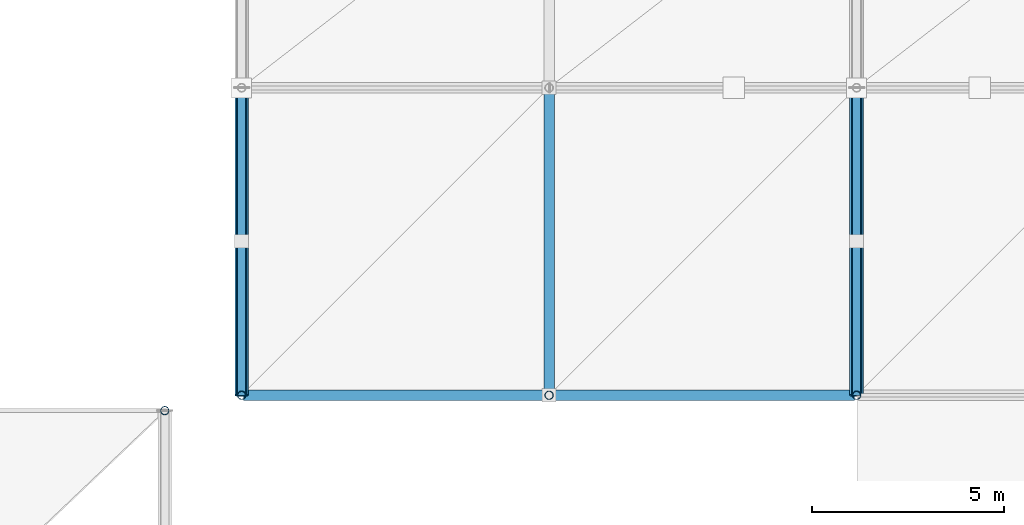
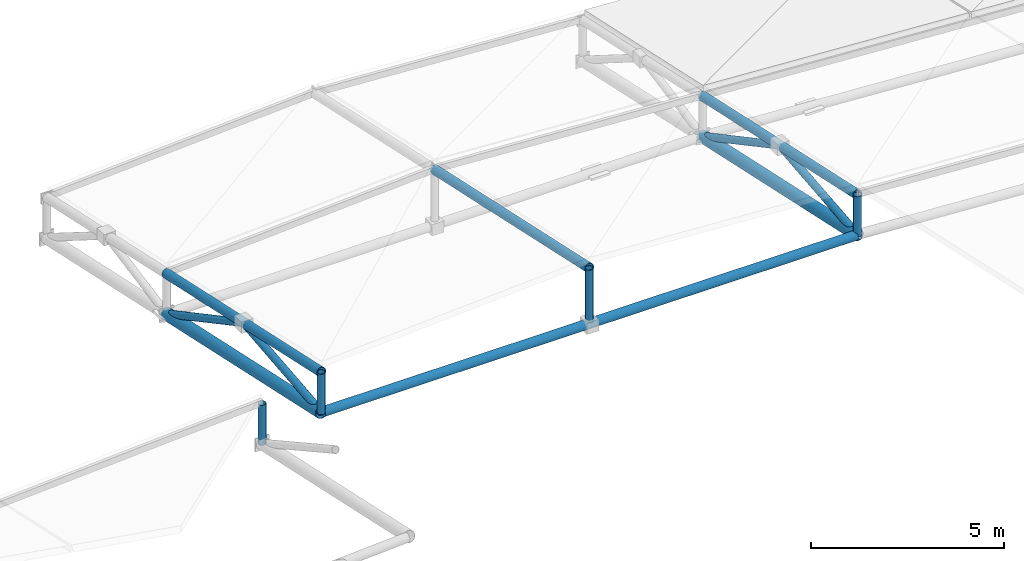
# One storey, part 22 of 67: 11 members, 3 beams.
"""IFC4 building model written with IfcOpenShell, lengths in metres."""

from ifc_helpers import new_model, si_unit, direction, frame, origin, origin_2d, place, context, subcontext, project, spatial, hollow_circle, extrude, material, material_profile, profile_set, type_object, element, save


model = new_model("IFC4")

# Units and contexts
model_context = context("Model", 3, precision=1e-05, world=origin(), true_north=direction((0.0, 1.0)))
body_context = subcontext(model_context, "Body", "Model", "MODEL_VIEW")
ifc_project = project(units=[si_unit("LENGTHUNIT", "METRE"), si_unit("AREAUNIT", "SQUARE_METRE"), si_unit("VOLUMEUNIT", "CUBIC_METRE"), si_unit("PLANEANGLEUNIT", "RADIAN"), si_unit("MASSUNIT", "GRAM", prefix="KILO")], contexts=[model_context])

# Site, building, storey
site_placement = place(None, origin())
site = spatial("IfcSite", under=ifc_project, at=site_placement, CompositionType="ELEMENT")
building_placement = place(site_placement, origin())
building = spatial("IfcBuilding", under=site, at=building_placement, Name="Drelvath Fold Interchange", CompositionType="ELEMENT")
storey_placement = place(building_placement, frame((0.0, 0.0, 15.60009765625)))
storey = spatial("IfcBuildingStorey", under=building, at=storey_placement, Name="L03", CompositionType="ELEMENT", Elevation=15.60009765625)

# Members
ifc_material = material(Name="Steel ASTM A500 Grade C", Category="steel")
ifc_material_profile_1 = material_profile(ifc_material, hollow_circle(Radius=0.136474609375, WallThickness=0.01171875, at=origin_2d()), Name="HSS10.750X0.500")
ifc_profile_set_1 = profile_set([ifc_material_profile_1], Name="Steel ASTM A500 Grade C")
member_type_1 = type_object("IfcMemberType", Name="SF-CHD273", PredefinedType="CHORD", material=ifc_profile_set_1)
for number, where, z_axis, x_axis, name in (
    (1, (102.0, 59.0, 4.15087890625), (0.0, 0.977055375556, -0.212985429309), (-1.0, 0.0, 0.0), "L03 Space frame roof truss upper chord SF-CHD273"),
    (2, (118.0, 59.0, 4.15087890625), (0.0, 0.977055375556, -0.212985429309), (-1.0, 0.0, 0.0), "L03 Space frame roof truss upper chord SF-CHD273"),
    (3, (110.0, 59.0, 4.6318359375), (0.0, 0.977055375556, -0.212985429309), (-1.0, 0.0, 0.0), "L03 Space frame crown chord SF-CHD273"),
):
    element("IfcMember", number, at=place(storey_placement, frame(where, z_axis=z_axis, x_axis=x_axis)), inside=storey, type_object=member_type_1, Name=name, PredefinedType="CHORD", context=body_context, shape_type="SweptSolid", body=[
        extrude(hollow_circle(Radius=0.136474609375, WallThickness=0.01171875, at=origin_2d()), origin(), (0.0, 0.0, 1.0), 8.18798828125),
    ])

# Beams
ifc_material_profile_2 = material_profile(ifc_material, hollow_circle(Radius=0.177978515625, WallThickness=0.01171875, at=origin_2d()), Name="HSS14.000X0.500")
ifc_profile_set_2 = profile_set([ifc_material_profile_2], Name="Steel ASTM A500 Grade C")
beam_type_1 = type_object("IfcBeamType", Name="SF-RIB356", PredefinedType="BEAM", material=ifc_profile_set_2)
for number, where, z_axis, x_axis, name in (
    (4, (102.0, 59.0, 2.880859375), (0.0, 0.977055375556, -0.212985429309), (-1.0, 0.0, 0.0), "Space frame roof truss main rib chord EAST"),
    (5, (118.0, 59.0, 2.880859375), (0.0, 0.977055375556, -0.212985429309), (-1.0, 0.0, 0.0), "Space frame roof truss main rib chord EAST"),
):
    element("IfcBeam", number, at=place(storey_placement, frame(where, z_axis=z_axis, x_axis=x_axis)), inside=storey, type_object=beam_type_1, Name=name, PredefinedType="BEAM", context=body_context, shape_type="SweptSolid", body=[
        extrude(hollow_circle(Radius=0.177978515625, WallThickness=0.01171875, at=origin_2d()), origin(), (0.0, 0.0, 1.0), 8.18798828125),
    ])
ifc_material_profile_3 = material_profile(ifc_material, hollow_circle(Radius=0.136474609375, WallThickness=0.01171875, at=origin_2d()), Name="HSS10.750X0.500")
ifc_profile_set_3 = profile_set([ifc_material_profile_3], Name="Steel ASTM A500 Grade C")
beam_type_2 = type_object("IfcBeamType", Name="SF-TIE273", PredefinedType="BEAM", material=ifc_profile_set_3)
beam_placement = place(storey_placement, frame((102.050048828125, 59.0, 2.880859375), z_axis=(1.0, 0.0, 0.0), x_axis=(0.0, 1.0, 0.0)))
element("IfcBeam", 6, at=beam_placement, inside=storey, type_object=beam_type_2, Name="Space frame roof truss longitudinal tie EAST", PredefinedType="BEAM", context=body_context, shape_type="SweptSolid", body=[
    extrude(hollow_circle(Radius=0.136474609375, WallThickness=0.01171875, at=origin_2d()), origin(), (0.0, 0.0, 1.0), 15.89990234375),
])

# Members
ifc_material_profile_4 = material_profile(ifc_material, hollow_circle(Radius=0.109619140625, WallThickness=0.0087890625, at=origin_2d()), Name="HSS8.625X0.375")
ifc_profile_set_4 = profile_set([ifc_material_profile_4], Name="Steel ASTM A500 Grade C")
member_type_2 = type_object("IfcMemberType", Name="SF-WEB219", PredefinedType="BRACE", material=ifc_profile_set_4)
member_1_placement = place(storey_placement, frame((100.0, 58.60009765625, 2.847900390625), z_axis=(0.0, 0.0, 1.0), x_axis=(1.0, 0.0, 0.0)))
element("IfcMember", 7, at=member_1_placement, inside=storey, type_object=member_type_2, Name="L03 Space frame roof truss web brace SF-WEB219", PredefinedType="BRACE", context=body_context, shape_type="SweptSolid", body=[
    extrude(hollow_circle(Radius=0.109619140625, WallThickness=0.0087890625, at=origin_2d()), origin(), (0.0, 0.0, 1.0), 1.27001953125),
])
member_2_placement = place(storey_placement, frame((102.0, 59.0, 2.880859375), z_axis=(0.0, 0.995087574546, 0.09899858072), x_axis=(-1.0, 0.0, 0.0)))
element("IfcMember", 8, at=member_2_placement, inside=storey, type_object=member_type_2, Name="L03 Space frame roof truss web brace SF-WEB219", PredefinedType="BRACE", context=body_context, shape_type="SweptSolid", body=[
    extrude(hollow_circle(Radius=0.109619140625, WallThickness=0.0087890625, at=origin_2d()), origin(), (0.0, 0.0, 1.0), 4.019775390625),
])
member_3_placement = place(storey_placement, frame((102.0, 63.0, 3.27880859375), z_axis=(0.0, 0.881572741969, -0.472048197345), x_axis=(-1.0, 0.0, 0.0)))
element("IfcMember", 9, at=member_3_placement, inside=storey, type_object=member_type_2, Name="L03 Space frame roof truss web brace SF-WEB219", PredefinedType="BRACE", context=body_context, shape_type="SweptSolid", body=[
    extrude(hollow_circle(Radius=0.109619140625, WallThickness=0.0087890625, at=origin_2d()), origin(), (0.0, 0.0, 1.0), 4.537353515625),
])
member_4_placement = place(storey_placement, frame((102.0, 59.0, 2.880859375), z_axis=(0.0, 0.0, 1.0), x_axis=(1.0, 0.0, 0.0)))
element("IfcMember", 10, at=member_4_placement, inside=storey, type_object=member_type_2, Name="L03 Space frame roof truss web brace SF-WEB219", PredefinedType="BRACE", context=body_context, shape_type="SweptSolid", body=[
    extrude(hollow_circle(Radius=0.109619140625, WallThickness=0.0087890625, at=origin_2d()), origin(), (0.0, 0.0, 1.0), 1.27001953125),
])
member_5_placement = place(storey_placement, frame((118.0, 59.0, 2.880859375), z_axis=(0.0, 0.995087574546, 0.09899858072), x_axis=(-1.0, 0.0, 0.0)))
element("IfcMember", 11, at=member_5_placement, inside=storey, type_object=member_type_2, Name="L03 Space frame roof truss web brace SF-WEB219", PredefinedType="BRACE", context=body_context, shape_type="SweptSolid", body=[
    extrude(hollow_circle(Radius=0.109619140625, WallThickness=0.0087890625, at=origin_2d()), origin(), (0.0, 0.0, 1.0), 4.019775390625),
])
member_6_placement = place(storey_placement, frame((118.0, 63.0, 3.27880859375), z_axis=(0.0, 0.881572741969, -0.472048197345), x_axis=(-1.0, 0.0, 0.0)))
element("IfcMember", 12, at=member_6_placement, inside=storey, type_object=member_type_2, Name="L03 Space frame roof truss web brace SF-WEB219", PredefinedType="BRACE", context=body_context, shape_type="SweptSolid", body=[
    extrude(hollow_circle(Radius=0.109619140625, WallThickness=0.0087890625, at=origin_2d()), origin(), (0.0, 0.0, 1.0), 4.537353515625),
])
member_7_placement = place(storey_placement, frame((118.0, 59.0, 2.880859375), z_axis=(0.0, 0.0, 1.0), x_axis=(1.0, 0.0, 0.0)))
element("IfcMember", 13, at=member_7_placement, inside=storey, type_object=member_type_2, Name="L03 Space frame roof truss web brace SF-WEB219", PredefinedType="BRACE", context=body_context, shape_type="SweptSolid", body=[
    extrude(hollow_circle(Radius=0.109619140625, WallThickness=0.0087890625, at=origin_2d()), origin(), (0.0, 0.0, 1.0), 1.27001953125),
])
member_8_placement = place(storey_placement, frame((110.0, 59.0, 2.880859375), z_axis=(0.0, 0.0, 1.0), x_axis=(1.0, 0.0, 0.0)))
element("IfcMember", 14, at=member_8_placement, inside=storey, type_object=member_type_2, Name="L03 Space frame crown post SF-WEB219", PredefinedType="BRACE", context=body_context, shape_type="SweptSolid", body=[
    extrude(hollow_circle(Radius=0.109619140625, WallThickness=0.0087890625, at=origin_2d()), origin(), (0.0, 0.0, 1.0), 1.7509765625),
])

save(model, "model.ifc")
